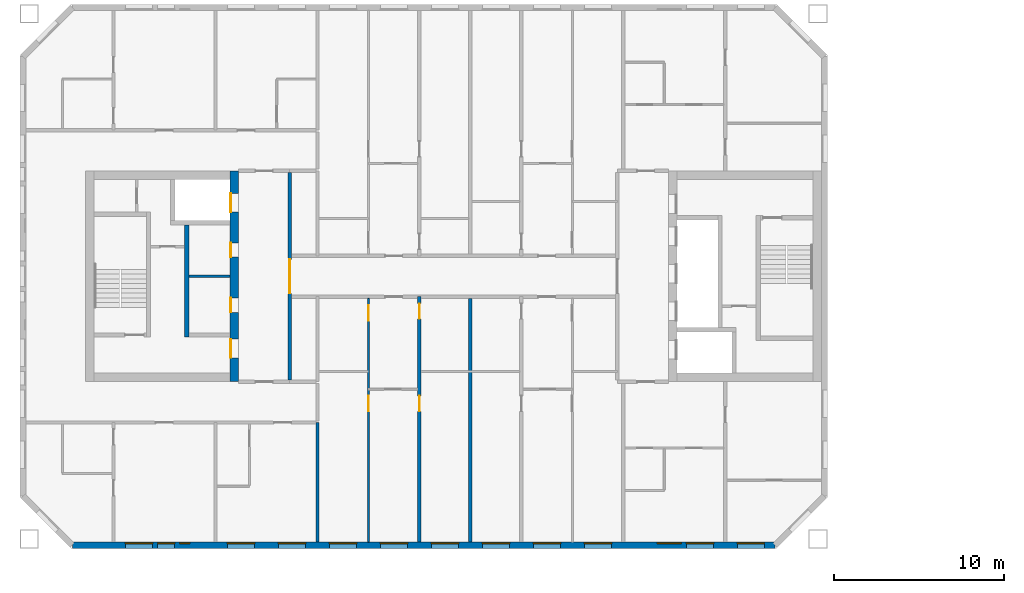
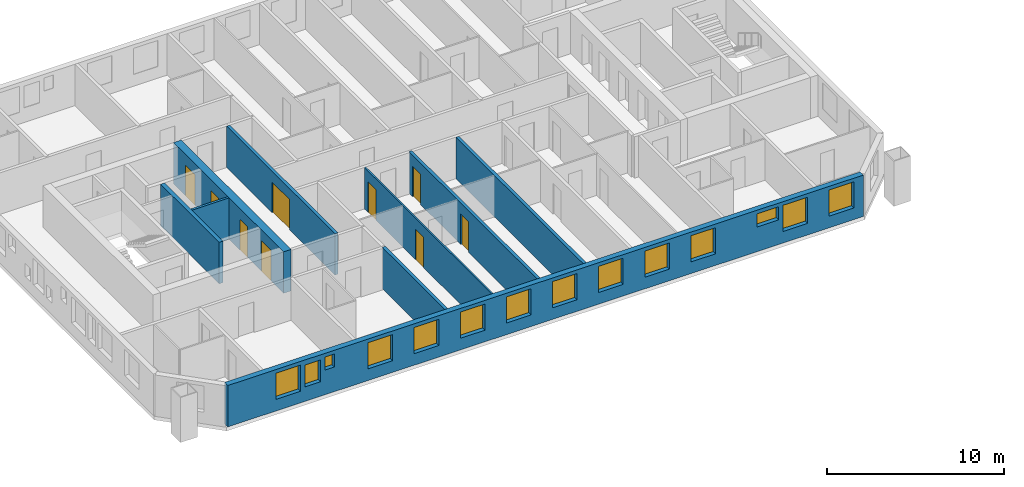
# One storey, part 3 of 15: 14 windows, 9 doors, 9 walls, 23 openings.
"""IFC4 building model written with IfcOpenShell, lengths in metres."""

import ifcopenshell
import ifcopenshell.guid

model = None  # the IFC model being written
_history = None  # IfcOwnerHistory: only IFC2X3 demands one
_inside = {}  # id of a spatial element -> (the spatial element, [elements in it])
_under = {}  # id of a project, library or spatial element -> (it, [spatial elements below it])
_declared = {}  # id of a project -> (the project, [libraries it declares])
_typed = {}  # id of a type object -> (the type object, [elements of that type])
_made_of = {}  # id of a material, layer set ... -> (it, [elements and type objects made of it])


def new_model(schema):
    """Start an empty IFC model of exactly this schema.

    Asked for "IFC4X3", IfcOpenShell would pick the latest addendum, in which some entities
    have other attributes; the version numbers below select the first issue.
    IFC2X3 requires an IfcOwnerHistory on every rooted entity: one is made here for all.
    """
    global model, _history
    if schema == "IFC4X3":
        model = ifcopenshell.file(schema_version=(4, 3, 0, 0))
    else:
        model = ifcopenshell.file(schema=schema)
    _inside.clear()
    _under.clear()
    _declared.clear()
    _typed.clear()
    _made_of.clear()
    _history = None
    if model.schema == "IFC2X3":
        org = make("IfcOrganization", Name="unknown")
        user = make(
            "IfcPersonAndOrganization",
            ThePerson=make("IfcPerson", FamilyName="unknown"),
            TheOrganization=org,
        )
        app = make(
            "IfcApplication",
            ApplicationDeveloper=org,
            Version="unknown",
            ApplicationFullName="unknown",
            ApplicationIdentifier="unknown",
        )
        _history = make(
            "IfcOwnerHistory",
            OwningUser=user,
            OwningApplication=app,
            ChangeAction="ADDED",
            CreationDate=0,
        )
    return model


def make(cls, **values):
    """One entity of the class cls with the attributes given. An attribute that is None is left unset."""
    return model.create_entity(
        cls, **{name: value for name, value in values.items() if value is not None}
    )


def rooted(cls, **values):
    """An entity with a GlobalId (a new one), such as an element, a storey or a relation."""
    return make(cls, GlobalId=ifcopenshell.guid.new(), OwnerHistory=_history, **values)


def si_unit(unit_type, name, prefix=None):
    """IfcSIUnit, for example si_unit("LENGTHUNIT", "METRE", prefix="MILLI")."""
    return make("IfcSIUnit", UnitType=unit_type, Prefix=prefix, Name=name)


def assignment(units):
    """IfcUnitAssignment: the units of a project."""
    return None if units is None else make("IfcUnitAssignment", Units=units)


def point(xyz):
    """IfcCartesianPoint."""
    return None if xyz is None else make("IfcCartesianPoint", Coordinates=xyz)


def direction(xyz):
    """IfcDirection."""
    return None if xyz is None else make("IfcDirection", DirectionRatios=xyz)


def frame(location, z_axis=None, x_axis=None):
    """IfcAxis2Placement3D, a coordinate frame: its origin and axes. An axis left out is left unset."""
    return make(
        "IfcAxis2Placement3D",
        Location=point(location),
        Axis=direction(z_axis),
        RefDirection=direction(x_axis),
    )


def frame_2d(location, x_axis=None):
    """IfcAxis2Placement2D, a coordinate frame in the plane: its origin and x axis."""
    return make(
        "IfcAxis2Placement2D", Location=point(location), RefDirection=direction(x_axis)
    )


def origin():
    """The frame at (0, 0, 0) with its axes left unset."""
    return frame((0.0, 0.0, 0.0))


def place(relative_to, where):
    """IfcLocalPlacement: puts the frame where relative to a parent placement (None: the world)."""
    return make(
        "IfcLocalPlacement", PlacementRelTo=relative_to, RelativePlacement=where
    )


def context(
    kind, dimensions, precision=None, world=None, true_north=None, identifier=None
):
    """IfcGeometricRepresentationContext, for example the 3D "Model" context."""
    return make(
        "IfcGeometricRepresentationContext",
        ContextIdentifier=identifier,
        ContextType=kind,
        CoordinateSpaceDimension=dimensions,
        Precision=precision,
        WorldCoordinateSystem=world,
        TrueNorth=true_north,
    )


def subcontext(parent, identifier, kind, view, scale=None):
    """IfcGeometricRepresentationSubContext, for example "Body" below "Model"."""
    return make(
        "IfcGeometricRepresentationSubContext",
        ContextIdentifier=identifier,
        ContextType=kind,
        ParentContext=parent,
        TargetScale=scale,
        TargetView=view,
    )


def project(units=None, contexts=None):
    """IfcProject with its units and contexts."""
    return rooted(
        "IfcProject",
        Name="project",
        RepresentationContexts=contexts,
        UnitsInContext=assignment(units),
    )


def spatial(cls, under=None, at=None, **own):
    """A site, building, storey or space (cls), placed at a placement, below another one or the project."""
    s = rooted(cls, ObjectPlacement=at, **own)
    if under is not None:
        _under.setdefault(under.id(), (under, []))[1].append(s)
    return s


def profile(cls, at=None, kind="AREA", **sizes):
    """A parametric profile (cls). Its sizes go by their IFC names, for example OverallWidth=200.0."""
    return make(cls, ProfileType=kind, Position=at, **sizes)


def rectangle(**sizes):
    """IfcRectangleProfileDef."""
    return profile("IfcRectangleProfileDef", **sizes)


def extrude(swept, where, along, depth):
    """IfcExtrudedAreaSolid: the profile swept, set in the frame where, extruded along a direction by depth."""
    return make(
        "IfcExtrudedAreaSolid",
        SweptArea=swept,
        Position=where,
        ExtrudedDirection=direction(along),
        Depth=depth,
    )


def shape(context_of_items, identifier, shape_type, items):
    """IfcShapeRepresentation: the items that make up one representation, for example the "Body"."""
    return make(
        "IfcShapeRepresentation",
        ContextOfItems=context_of_items,
        RepresentationIdentifier=identifier,
        RepresentationType=shape_type,
        Items=items,
    )


def material(Name=None, Category=None):
    """IfcMaterial."""
    return make("IfcMaterial", Name=Name, Category=Category)


def layer(
    of_material, thickness, ventilated=None, Name=None, Category=None, Priority=None
):
    """IfcMaterialLayer: one layer of a wall or slab, of a material (None: an air gap)."""
    return make(
        "IfcMaterialLayer",
        Material=of_material,
        LayerThickness=thickness,
        IsVentilated=ventilated,
        Name=Name,
        Category=Category,
        Priority=Priority,
    )


def layer_set(layers, Name=None):
    """IfcMaterialLayerSet."""
    return make("IfcMaterialLayerSet", MaterialLayers=layers, LayerSetName=Name)


def made_of(thing, what):
    """Note that an element or type object is made of a material, layer set ...; save() writes the relation."""
    if what is not None:
        _made_of.setdefault(what.id(), (what, []))[1].append(thing)
    return thing


def type_object(cls, material=None, **own):
    """A type object (cls), such as IfcWallType, which elements share."""
    return made_of(rooted(cls, **own), material)


def element(
    cls,
    number,
    at=None,
    inside=None,
    cuts=None,
    type_object=None,
    material=None,
    context=None,
    identifier="Body",
    shape_type=None,
    held_by="IfcProductDefinitionShape",
    body=None,
    shapes=None,
    **own,
):
    """One element of the class cls, such as IfcWall. Its Tag is "e" and its number.

    at: its placement. inside: the storey or other place that contains it. cuts: it is an
    opening in that element (IfcRelVoidsElement). A single representation is given by context,
    identifier, shape_type and body (its items); several are given by shapes. held_by: the class
    of the entity that holds the representations. save() writes the other relations.
    """
    e = rooted(cls, Tag="e%d" % number, ObjectPlacement=at, **own)
    if body is not None:
        shapes = [shape(context, identifier, shape_type, body)]
    if shapes is not None:
        e.Representation = make(held_by, Representations=shapes)
    if inside is not None:
        _inside.setdefault(inside.id(), (inside, []))[1].append(e)
    if cuts is not None:
        rooted(
            "IfcRelVoidsElement", RelatingBuildingElement=cuts, RelatedOpeningElement=e
        )
    if type_object is not None:
        _typed.setdefault(type_object.id(), (type_object, []))[1].append(e)
    return made_of(e, material)


def fill(opening, filler):
    """IfcRelFillsElement: the door or window that sits in an opening."""
    return rooted(
        "IfcRelFillsElement",
        RelatingOpeningElement=opening,
        RelatedBuildingElement=filler,
    )


def aggregate(whole, parts):
    """IfcRelAggregates: a whole, such as a stair, and the parts it consists of."""
    return rooted("IfcRelAggregates", RelatingObject=whole, RelatedObjects=parts)


def save(model, path):
    """Write the relations noted so far, then the file.

    IfcRelAggregates (storeys below a building ...), IfcRelContainedInSpatialStructure (elements
    in a storey), IfcRelDefinesByType, IfcRelAssociatesMaterial and IfcRelDeclares: one each for
    every whole, place, type object, material and project.
    """
    for whole, parts in _under.values():
        aggregate(whole, parts)
    for where, things in _inside.values():
        rooted(
            "IfcRelContainedInSpatialStructure",
            RelatedElements=things,
            RelatingStructure=where,
        )
    for kind, things in _typed.values():
        rooted("IfcRelDefinesByType", RelatedObjects=things, RelatingType=kind)
    for what, things in _made_of.values():
        rooted("IfcRelAssociatesMaterial", RelatedObjects=things, RelatingMaterial=what)
    for by, libraries in _declared.values():
        rooted("IfcRelDeclares", RelatingContext=by, RelatedDefinitions=libraries)
    model.write(path)


model = new_model("IFC4")

# Units and contexts
model_context = context("Model", 3, precision=1e-05, world=origin(), true_north=direction((0.0, 1.0)))
body_context = subcontext(model_context, "Body", "Model", "MODEL_VIEW")
ifc_project = project(units=[si_unit("LENGTHUNIT", "METRE"), si_unit("AREAUNIT", "SQUARE_METRE"), si_unit("VOLUMEUNIT", "CUBIC_METRE"), si_unit("PLANEANGLEUNIT", "RADIAN"), si_unit("MASSUNIT", "GRAM", prefix="KILO")], contexts=[model_context])

# Site, building, storey
site_placement = place(None, origin())
site = spatial("IfcSite", under=ifc_project, at=site_placement, CompositionType="ELEMENT")
building_placement = place(site_placement, origin())
building = spatial("IfcBuilding", under=site, at=building_placement, Name="Tuart Gate Housing", CompositionType="ELEMENT")
storey_placement = place(building_placement, frame((0.0, 0.0, 154.699951171875)))
storey = spatial("IfcBuildingStorey", under=building, at=storey_placement, Name="L43", CompositionType="ELEMENT", Elevation=154.699951171875)

# Wall, openings, windows
ifc_material_1 = material(Name="Brick", Category="masonry")
ifc_layer_1 = layer(ifc_material_1, 0.360107421875)
ifc_layer_set_1 = layer_set([ifc_layer_1], Name="Brick pier and spandrel wall 360")
wall_type_1 = type_object("IfcWallType", Name="Brick pier and spandrel wall 360", PredefinedType="STANDARD", material=ifc_layer_set_1)
wall_1_placement = place(storey_placement, frame((31.57470703125, 54.179931640625, 0.0), z_axis=(0.0, 0.0, 1.0), x_axis=(1.0, 0.0, 0.0)))
wall_1 = element("IfcWall", 1, at=wall_1_placement, inside=storey, type_object=wall_type_1, Name="External wall A-S L43", PredefinedType="STANDARD", context=body_context, shape_type="SweptSolid", body=[
    extrude(rectangle(XDim=41.350830078125, YDim=0.360107421875, at=frame_2d((20.67529296875, 0.0))), origin(), (0.0, 0.0, 1.0), 2.85009765625),
])
opening_1_placement = place(wall_1_placement, frame((3.12548828125, 0.0, 0.800048828125)))
opening_1 = element("IfcOpeningElement", 2, at=opening_1_placement, cuts=wall_1, Name="Opening W1", PredefinedType="OPENING", context=body_context, shape_type="SweptSolid", body=[
    extrude(rectangle(XDim=1.60009765625, YDim=1.800048828125, at=frame_2d((0.800048828125, 0.89990234375))), frame((0.0, 0.18994140625, 0.0), z_axis=(0.0, -1.0, 0.0), x_axis=(1.0, 0.0, 0.0)), (0.0, 0.0, 1.0), 0.380126953125),
])
opening_2_placement = place(wall_1_placement, frame((5.025390625, 0.0, 1.0)))
opening_2 = element("IfcOpeningElement", 3, at=opening_2_placement, cuts=wall_1, Name="Opening W1I", PredefinedType="OPENING", context=body_context, shape_type="SweptSolid", body=[
    extrude(rectangle(XDim=1.0, YDim=1.5, at=frame_2d((0.5, 0.75))), frame((0.0, 0.18994140625, 0.0), z_axis=(0.0, -1.0, 0.0), x_axis=(1.0, 0.0, 0.0)), (0.0, 0.0, 1.0), 0.380126953125),
])
opening_3_placement = place(wall_1_placement, frame((9.12548828125, 0.0, 0.800048828125)))
opening_3 = element("IfcOpeningElement", 4, at=opening_3_placement, cuts=wall_1, Name="Opening W1", PredefinedType="OPENING", context=body_context, shape_type="SweptSolid", body=[
    extrude(rectangle(XDim=1.60009765625, YDim=1.800048828125, at=frame_2d((0.800048828125, 0.89990234375))), frame((0.0, 0.18994140625, 0.0), z_axis=(0.0, -1.0, 0.0), x_axis=(1.0, 0.0, 0.0)), (0.0, 0.0, 1.0), 0.380126953125),
])
opening_4_placement = place(wall_1_placement, frame((12.12548828125, 0.0, 0.800048828125)))
opening_4 = element("IfcOpeningElement", 5, at=opening_4_placement, cuts=wall_1, Name="Opening W1", PredefinedType="OPENING", context=body_context, shape_type="SweptSolid", body=[
    extrude(rectangle(XDim=1.60009765625, YDim=1.800048828125, at=frame_2d((0.800048828125, 0.89990234375))), frame((0.0, 0.18994140625, 0.0), z_axis=(0.0, -1.0, 0.0), x_axis=(1.0, 0.0, 0.0)), (0.0, 0.0, 1.0), 0.380126953125),
])
opening_5_placement = place(wall_1_placement, frame((15.12548828125, 0.0, 0.800048828125)))
opening_5 = element("IfcOpeningElement", 6, at=opening_5_placement, cuts=wall_1, Name="Opening W1", PredefinedType="OPENING", context=body_context, shape_type="SweptSolid", body=[
    extrude(rectangle(XDim=1.60009765625, YDim=1.800048828125, at=frame_2d((0.800048828125, 0.89990234375))), frame((0.0, 0.18994140625, 0.0), z_axis=(0.0, -1.0, 0.0), x_axis=(1.0, 0.0, 0.0)), (0.0, 0.0, 1.0), 0.380126953125),
])
opening_6_placement = place(wall_1_placement, frame((18.12548828125, 0.0, 0.800048828125)))
opening_6 = element("IfcOpeningElement", 7, at=opening_6_placement, cuts=wall_1, Name="Opening W1", PredefinedType="OPENING", context=body_context, shape_type="SweptSolid", body=[
    extrude(rectangle(XDim=1.60009765625, YDim=1.800048828125, at=frame_2d((0.800048828125, 0.89990234375))), frame((0.0, 0.18994140625, 0.0), z_axis=(0.0, -1.0, 0.0), x_axis=(1.0, 0.0, 0.0)), (0.0, 0.0, 1.0), 0.380126953125),
])
opening_7_placement = place(wall_1_placement, frame((21.12548828125, 0.0, 0.800048828125)))
opening_7 = element("IfcOpeningElement", 8, at=opening_7_placement, cuts=wall_1, Name="Opening W1", PredefinedType="OPENING", context=body_context, shape_type="SweptSolid", body=[
    extrude(rectangle(XDim=1.60009765625, YDim=1.800048828125, at=frame_2d((0.800048828125, 0.89990234375))), frame((0.0, 0.18994140625, 0.0), z_axis=(0.0, -1.0, 0.0), x_axis=(1.0, 0.0, 0.0)), (0.0, 0.0, 1.0), 0.380126953125),
])
opening_8_placement = place(wall_1_placement, frame((24.12548828125, 0.0, 0.800048828125)))
opening_8 = element("IfcOpeningElement", 9, at=opening_8_placement, cuts=wall_1, Name="Opening W1", PredefinedType="OPENING", context=body_context, shape_type="SweptSolid", body=[
    extrude(rectangle(XDim=1.60009765625, YDim=1.800048828125, at=frame_2d((0.800048828125, 0.89990234375))), frame((0.0, 0.18994140625, 0.0), z_axis=(0.0, -1.0, 0.0), x_axis=(1.0, 0.0, 0.0)), (0.0, 0.0, 1.0), 0.380126953125),
])
opening_9_placement = place(wall_1_placement, frame((27.12548828125, 0.0, 0.800048828125)))
opening_9 = element("IfcOpeningElement", 10, at=opening_9_placement, cuts=wall_1, Name="Opening W1", PredefinedType="OPENING", context=body_context, shape_type="SweptSolid", body=[
    extrude(rectangle(XDim=1.60009765625, YDim=1.800048828125, at=frame_2d((0.800048828125, 0.89990234375))), frame((0.0, 0.18994140625, 0.0), z_axis=(0.0, -1.0, 0.0), x_axis=(1.0, 0.0, 0.0)), (0.0, 0.0, 1.0), 0.380126953125),
])
opening_10_placement = place(wall_1_placement, frame((30.12548828125, 0.0, 0.800048828125)))
opening_10 = element("IfcOpeningElement", 11, at=opening_10_placement, cuts=wall_1, Name="Opening W1", PredefinedType="OPENING", context=body_context, shape_type="SweptSolid", body=[
    extrude(rectangle(XDim=1.60009765625, YDim=1.800048828125, at=frame_2d((0.800048828125, 0.89990234375))), frame((0.0, 0.18994140625, 0.0), z_axis=(0.0, -1.0, 0.0), x_axis=(1.0, 0.0, 0.0)), (0.0, 0.0, 1.0), 0.380126953125),
])
opening_11_placement = place(wall_1_placement, frame((34.42529296875, 0.0, 1.699951171875)))
opening_11 = element("IfcOpeningElement", 12, at=opening_11_placement, cuts=wall_1, Name="Opening W1S", PredefinedType="OPENING", context=body_context, shape_type="SweptSolid", body=[
    extrude(rectangle(XDim=1.39990234375, YDim=0.89990234375, at=frame_2d((0.699951171875, 0.449951171875))), frame((0.0, 0.18994140625, 0.0), z_axis=(0.0, -1.0, 0.0), x_axis=(1.0, 0.0, 0.0)), (0.0, 0.0, 1.0), 0.380126953125),
])
opening_12_placement = place(wall_1_placement, frame((36.12548828125, 0.0, 0.800048828125)))
opening_12 = element("IfcOpeningElement", 13, at=opening_12_placement, cuts=wall_1, Name="Opening W1", PredefinedType="OPENING", context=body_context, shape_type="SweptSolid", body=[
    extrude(rectangle(XDim=1.60009765625, YDim=1.800048828125, at=frame_2d((0.800048828125, 0.89990234375))), frame((0.0, 0.18994140625, 0.0), z_axis=(0.0, -1.0, 0.0), x_axis=(1.0, 0.0, 0.0)), (0.0, 0.0, 1.0), 0.380126953125),
])
opening_13_placement = place(wall_1_placement, frame((39.12548828125, 0.0, 0.800048828125)))
opening_13 = element("IfcOpeningElement", 14, at=opening_13_placement, cuts=wall_1, Name="Opening W1", PredefinedType="OPENING", context=body_context, shape_type="SweptSolid", body=[
    extrude(rectangle(XDim=1.60009765625, YDim=1.800048828125, at=frame_2d((0.800048828125, 0.89990234375))), frame((0.0, 0.18994140625, 0.0), z_axis=(0.0, -1.0, 0.0), x_axis=(1.0, 0.0, 0.0)), (0.0, 0.0, 1.0), 0.380126953125),
])
opening_14_placement = place(wall_1_placement, frame((6.325439453125, 0.0, 1.699951171875)))
opening_14 = element("IfcOpeningElement", 15, at=opening_14_placement, cuts=wall_1, Name="Opening W1W", PredefinedType="OPENING", context=body_context, shape_type="SweptSolid", body=[
    extrude(rectangle(XDim=0.60009765625, YDim=0.89990234375, at=frame_2d((0.300048828125, 0.449951171875))), frame((0.0, 0.18994140625, 0.0), z_axis=(0.0, -1.0, 0.0), x_axis=(1.0, 0.0, 0.0)), (0.0, 0.0, 1.0), 0.380126953125),
])
ifc_material_2 = material(Name="Aluminium frame with clear glass", Category="aluminium")
window_type_1 = type_object("IfcWindowType", Name="Punched window 1000 x 1500", PartitioningType="SINGLE_PANEL", PredefinedType="WINDOW", material=ifc_material_2)
window_1_placement = place(opening_2_placement, origin())
window_1 = element("IfcWindow", 16, at=window_1_placement, inside=storey, type_object=window_type_1, Name="Window W1I", OverallHeight=1.5, OverallWidth=1.0, PartitioningType="SINGLE_PANEL", PredefinedType="WINDOW", context=body_context, shape_type="SweptSolid", body=[
    extrude(rectangle(XDim=1.0, YDim=1.5, at=frame_2d((0.5, 0.75))), frame((0.0, 0.150146484375, 0.0), z_axis=(0.0, -1.0, 0.0), x_axis=(1.0, 0.0, 0.0)), (0.0, 0.0, 1.0), 0.06005859375),
])
fill(opening_2, window_1)
ifc_material_3 = material(Name="Aluminium frame with clear glass", Category="aluminium")
window_type_2 = type_object("IfcWindowType", Name="Punched window 1400 x 900", PartitioningType="SINGLE_PANEL", PredefinedType="WINDOW", material=ifc_material_3)
window_2_placement = place(opening_11_placement, origin())
window_2 = element("IfcWindow", 17, at=window_2_placement, inside=storey, type_object=window_type_2, Name="Window W1S", OverallHeight=0.89990234375, OverallWidth=1.39990234375, PartitioningType="SINGLE_PANEL", PredefinedType="WINDOW", context=body_context, shape_type="SweptSolid", body=[
    extrude(rectangle(XDim=1.39990234375, YDim=0.89990234375, at=frame_2d((0.699951171875, 0.449951171875))), frame((0.0, 0.150146484375, 0.0), z_axis=(0.0, -1.0, 0.0), x_axis=(1.0, 0.0, 0.0)), (0.0, 0.0, 1.0), 0.06005859375),
])
fill(opening_11, window_2)
ifc_material_4 = material(Name="Aluminium frame with clear glass", Category="aluminium")
window_type_3 = type_object("IfcWindowType", Name="Punched window 1600 x 1800", PartitioningType="SINGLE_PANEL", PredefinedType="WINDOW", material=ifc_material_4)
window_3_placement = place(opening_1_placement, origin())
window_3 = element("IfcWindow", 18, at=window_3_placement, inside=storey, type_object=window_type_3, Name="Window W1", OverallHeight=1.800048828125, OverallWidth=1.60009765625, PartitioningType="SINGLE_PANEL", PredefinedType="WINDOW", context=body_context, shape_type="SweptSolid", body=[
    extrude(rectangle(XDim=1.60009765625, YDim=1.800048828125, at=frame_2d((0.800048828125, 0.89990234375))), frame((0.0, 0.150146484375, 0.0), z_axis=(0.0, -1.0, 0.0), x_axis=(1.0, 0.0, 0.0)), (0.0, 0.0, 1.0), 0.06005859375),
])
fill(opening_1, window_3)
window_4_placement = place(opening_3_placement, origin())
window_4 = element("IfcWindow", 19, at=window_4_placement, inside=storey, type_object=window_type_3, Name="Window W1", OverallHeight=1.800048828125, OverallWidth=1.60009765625, PartitioningType="SINGLE_PANEL", PredefinedType="WINDOW", context=body_context, shape_type="SweptSolid", body=[
    extrude(rectangle(XDim=1.60009765625, YDim=1.800048828125, at=frame_2d((0.800048828125, 0.89990234375))), frame((0.0, 0.150146484375, 0.0), z_axis=(0.0, -1.0, 0.0), x_axis=(1.0, 0.0, 0.0)), (0.0, 0.0, 1.0), 0.06005859375),
])
fill(opening_3, window_4)
window_5_placement = place(opening_4_placement, origin())
window_5 = element("IfcWindow", 20, at=window_5_placement, inside=storey, type_object=window_type_3, Name="Window W1", OverallHeight=1.800048828125, OverallWidth=1.60009765625, PartitioningType="SINGLE_PANEL", PredefinedType="WINDOW", context=body_context, shape_type="SweptSolid", body=[
    extrude(rectangle(XDim=1.60009765625, YDim=1.800048828125, at=frame_2d((0.800048828125, 0.89990234375))), frame((0.0, 0.150146484375, 0.0), z_axis=(0.0, -1.0, 0.0), x_axis=(1.0, 0.0, 0.0)), (0.0, 0.0, 1.0), 0.06005859375),
])
fill(opening_4, window_5)
window_6_placement = place(opening_5_placement, origin())
window_6 = element("IfcWindow", 21, at=window_6_placement, inside=storey, type_object=window_type_3, Name="Window W1", OverallHeight=1.800048828125, OverallWidth=1.60009765625, PartitioningType="SINGLE_PANEL", PredefinedType="WINDOW", context=body_context, shape_type="SweptSolid", body=[
    extrude(rectangle(XDim=1.60009765625, YDim=1.800048828125, at=frame_2d((0.800048828125, 0.89990234375))), frame((0.0, 0.150146484375, 0.0), z_axis=(0.0, -1.0, 0.0), x_axis=(1.0, 0.0, 0.0)), (0.0, 0.0, 1.0), 0.06005859375),
])
fill(opening_5, window_6)
window_7_placement = place(opening_6_placement, origin())
window_7 = element("IfcWindow", 22, at=window_7_placement, inside=storey, type_object=window_type_3, Name="Window W1", OverallHeight=1.800048828125, OverallWidth=1.60009765625, PartitioningType="SINGLE_PANEL", PredefinedType="WINDOW", context=body_context, shape_type="SweptSolid", body=[
    extrude(rectangle(XDim=1.60009765625, YDim=1.800048828125, at=frame_2d((0.800048828125, 0.89990234375))), frame((0.0, 0.150146484375, 0.0), z_axis=(0.0, -1.0, 0.0), x_axis=(1.0, 0.0, 0.0)), (0.0, 0.0, 1.0), 0.06005859375),
])
fill(opening_6, window_7)
window_8_placement = place(opening_7_placement, origin())
window_8 = element("IfcWindow", 23, at=window_8_placement, inside=storey, type_object=window_type_3, Name="Window W1", OverallHeight=1.800048828125, OverallWidth=1.60009765625, PartitioningType="SINGLE_PANEL", PredefinedType="WINDOW", context=body_context, shape_type="SweptSolid", body=[
    extrude(rectangle(XDim=1.60009765625, YDim=1.800048828125, at=frame_2d((0.800048828125, 0.89990234375))), frame((0.0, 0.150146484375, 0.0), z_axis=(0.0, -1.0, 0.0), x_axis=(1.0, 0.0, 0.0)), (0.0, 0.0, 1.0), 0.06005859375),
])
fill(opening_7, window_8)
window_9_placement = place(opening_8_placement, origin())
window_9 = element("IfcWindow", 24, at=window_9_placement, inside=storey, type_object=window_type_3, Name="Window W1", OverallHeight=1.800048828125, OverallWidth=1.60009765625, PartitioningType="SINGLE_PANEL", PredefinedType="WINDOW", context=body_context, shape_type="SweptSolid", body=[
    extrude(rectangle(XDim=1.60009765625, YDim=1.800048828125, at=frame_2d((0.800048828125, 0.89990234375))), frame((0.0, 0.150146484375, 0.0), z_axis=(0.0, -1.0, 0.0), x_axis=(1.0, 0.0, 0.0)), (0.0, 0.0, 1.0), 0.06005859375),
])
fill(opening_8, window_9)
window_10_placement = place(opening_9_placement, origin())
window_10 = element("IfcWindow", 25, at=window_10_placement, inside=storey, type_object=window_type_3, Name="Window W1", OverallHeight=1.800048828125, OverallWidth=1.60009765625, PartitioningType="SINGLE_PANEL", PredefinedType="WINDOW", context=body_context, shape_type="SweptSolid", body=[
    extrude(rectangle(XDim=1.60009765625, YDim=1.800048828125, at=frame_2d((0.800048828125, 0.89990234375))), frame((0.0, 0.150146484375, 0.0), z_axis=(0.0, -1.0, 0.0), x_axis=(1.0, 0.0, 0.0)), (0.0, 0.0, 1.0), 0.06005859375),
])
fill(opening_9, window_10)
window_11_placement = place(opening_10_placement, origin())
window_11 = element("IfcWindow", 26, at=window_11_placement, inside=storey, type_object=window_type_3, Name="Window W1", OverallHeight=1.800048828125, OverallWidth=1.60009765625, PartitioningType="SINGLE_PANEL", PredefinedType="WINDOW", context=body_context, shape_type="SweptSolid", body=[
    extrude(rectangle(XDim=1.60009765625, YDim=1.800048828125, at=frame_2d((0.800048828125, 0.89990234375))), frame((0.0, 0.150146484375, 0.0), z_axis=(0.0, -1.0, 0.0), x_axis=(1.0, 0.0, 0.0)), (0.0, 0.0, 1.0), 0.06005859375),
])
fill(opening_10, window_11)
window_12_placement = place(opening_12_placement, origin())
window_12 = element("IfcWindow", 27, at=window_12_placement, inside=storey, type_object=window_type_3, Name="Window W1", OverallHeight=1.800048828125, OverallWidth=1.60009765625, PartitioningType="SINGLE_PANEL", PredefinedType="WINDOW", context=body_context, shape_type="SweptSolid", body=[
    extrude(rectangle(XDim=1.60009765625, YDim=1.800048828125, at=frame_2d((0.800048828125, 0.89990234375))), frame((0.0, 0.150146484375, 0.0), z_axis=(0.0, -1.0, 0.0), x_axis=(1.0, 0.0, 0.0)), (0.0, 0.0, 1.0), 0.06005859375),
])
fill(opening_12, window_12)
window_13_placement = place(opening_13_placement, origin())
window_13 = element("IfcWindow", 28, at=window_13_placement, inside=storey, type_object=window_type_3, Name="Window W1", OverallHeight=1.800048828125, OverallWidth=1.60009765625, PartitioningType="SINGLE_PANEL", PredefinedType="WINDOW", context=body_context, shape_type="SweptSolid", body=[
    extrude(rectangle(XDim=1.60009765625, YDim=1.800048828125, at=frame_2d((0.800048828125, 0.89990234375))), frame((0.0, 0.150146484375, 0.0), z_axis=(0.0, -1.0, 0.0), x_axis=(1.0, 0.0, 0.0)), (0.0, 0.0, 1.0), 0.06005859375),
])
fill(opening_13, window_13)
ifc_material_5 = material(Name="Aluminium frame with clear glass", Category="aluminium")
window_type_4 = type_object("IfcWindowType", Name="Punched window 600 x 900", PartitioningType="SINGLE_PANEL", PredefinedType="WINDOW", material=ifc_material_5)
window_14_placement = place(opening_14_placement, origin())
window_14 = element("IfcWindow", 29, at=window_14_placement, inside=storey, type_object=window_type_4, Name="Window W1W", OverallHeight=0.89990234375, OverallWidth=0.60009765625, PartitioningType="SINGLE_PANEL", PredefinedType="WINDOW", context=body_context, shape_type="SweptSolid", body=[
    extrude(rectangle(XDim=0.60009765625, YDim=0.89990234375, at=frame_2d((0.300048828125, 0.449951171875))), frame((0.0, 0.150146484375, 0.0), z_axis=(0.0, -1.0, 0.0), x_axis=(1.0, 0.0, 0.0)), (0.0, 0.0, 1.0), 0.06005859375),
])
fill(opening_14, window_14)

# Walls
ifc_material_6 = material(Name="Plasterboard partition")
ifc_layer_2 = layer(ifc_material_6, 0.14990234375)
ifc_layer_set_2 = layer_set([ifc_layer_2], Name="Core partition 150")
wall_type_2 = type_object("IfcWallType", Name="Core partition 150", PredefinedType="PARTITIONING", material=ifc_layer_set_2)
wall_2_placement = place(storey_placement, frame((40.860107421875, 70.0, 0.0), z_axis=(0.0, 0.0, 1.0), x_axis=(-1.0, 0.0, 0.0)))
element("IfcWall", 30, at=wall_2_placement, inside=storey, type_object=wall_type_2, Name="Core partition AK.4", PredefinedType="PARTITIONING", context=body_context, shape_type="SweptSolid", body=[
    extrude(rectangle(XDim=2.425048828125, YDim=0.14990234375, at=frame_2d((1.21240234375, 0.0))), origin(), (0.0, 0.0, 1.0), 2.85009765625),
])
ifc_material_7 = material(Name="Concrete C40", Category="concrete")
ifc_layer_3 = layer(ifc_material_7, 0.25)
ifc_layer_set_3 = layer_set([ifc_layer_3], Name="Core wall 250 C40")
wall_type_3 = type_object("IfcWallType", Name="Core wall 250 C40", PredefinedType="SHEAR", material=ifc_layer_set_3)
wall_3_placement = place(storey_placement, frame((38.31005859375, 73.02490234375, 0.0), z_axis=(0.0, 0.0, 1.0), x_axis=(0.0, -1.0, 0.0)))
element("IfcWall", 31, at=wall_3_placement, inside=storey, type_object=wall_type_3, Name="Core wall AK.7", PredefinedType="SHEAR", context=body_context, shape_type="SweptSolid", body=[
    extrude(rectangle(XDim=6.599853515625, YDim=0.25, at=frame_2d((3.2998046875, 0.0))), origin(), (0.0, 0.0, 1.0), 2.85009765625),
])

# Wall, openings, doors
ifc_material_8 = material(Name="Concrete C40", Category="concrete")
ifc_layer_4 = layer(ifc_material_8, 0.5)
ifc_layer_set_4 = layer_set([ifc_layer_4], Name="Core wall 500 C40")
wall_type_4 = type_object("IfcWallType", Name="Core wall 500 C40", PredefinedType="SHEAR", material=ifc_layer_set_4)
wall_4_placement = place(storey_placement, frame((41.110107421875, 76.199951171875, 0.0), z_axis=(0.0, 0.0, 1.0), x_axis=(0.0, -1.0, 0.0)))
wall_4 = element("IfcWall", 32, at=wall_4_placement, inside=storey, type_object=wall_type_4, Name="Core wall AK front", PredefinedType="SHEAR", context=body_context, shape_type="SweptSolid", body=[
    extrude(rectangle(XDim=12.39990234375, YDim=0.5, at=frame_2d((6.199951171875, 0.0))), origin(), (0.0, 0.0, 1.0), 2.85009765625),
])
opening_15_placement = place(wall_4_placement, frame((1.324951171875, 0.0, 0.0)))
opening_15 = element("IfcOpeningElement", 33, at=opening_15_placement, cuts=wall_4, Name="Opening LD-FA2", PredefinedType="OPENING", context=body_context, shape_type="SweptSolid", body=[
    extrude(rectangle(XDim=1.10009765625, YDim=2.10009765625, at=frame_2d((0.550048828125, 1.050048828125))), frame((0.0, 0.260009765625, 0.0), z_axis=(0.0, -1.0, 0.0), x_axis=(1.0, 0.0, 0.0)), (0.0, 0.0, 1.0), 0.52001953125),
])
opening_16_placement = place(wall_4_placement, frame((4.22509765625, 0.0, 0.0)))
opening_16 = element("IfcOpeningElement", 34, at=opening_16_placement, cuts=wall_4, Name="Opening D1543", PredefinedType="OPENING", context=body_context, shape_type="SweptSolid", body=[
    extrude(rectangle(XDim=0.85009765625, YDim=2.10009765625, at=frame_2d((0.425048828125, 1.050048828125))), frame((0.0, 0.260009765625, 0.0), z_axis=(0.0, -1.0, 0.0), x_axis=(1.0, 0.0, 0.0)), (0.0, 0.0, 1.0), 0.52001953125),
])
opening_17_placement = place(wall_4_placement, frame((7.47509765625, 0.0, 0.0)))
opening_17 = element("IfcOpeningElement", 35, at=opening_17_placement, cuts=wall_4, Name="Opening D1544", PredefinedType="OPENING", context=body_context, shape_type="SweptSolid", body=[
    extrude(rectangle(XDim=0.85009765625, YDim=2.10009765625, at=frame_2d((0.425048828125, 1.050048828125))), frame((0.0, 0.260009765625, 0.0), z_axis=(0.0, -1.0, 0.0), x_axis=(1.0, 0.0, 0.0)), (0.0, 0.0, 1.0), 0.52001953125),
])
opening_18_placement = place(wall_4_placement, frame((9.89990234375, 0.0, 0.0)))
opening_18 = element("IfcOpeningElement", 36, at=opening_18_placement, cuts=wall_4, Name="Opening D1542", PredefinedType="OPENING", context=body_context, shape_type="SweptSolid", body=[
    extrude(rectangle(XDim=1.10009765625, YDim=2.10009765625, at=frame_2d((0.550048828125, 1.050048828125))), frame((0.0, 0.260009765625, 0.0), z_axis=(0.0, -1.0, 0.0), x_axis=(1.0, 0.0, 0.0)), (0.0, 0.0, 1.0), 0.52001953125),
])
ifc_material_9 = material(Name="Stainless steel", Category="steel")
door_type_1 = type_object("IfcDoorType", Name="Landing door 1100 x 2100", OperationType="DOUBLE_DOOR_SLIDING", PredefinedType="DOOR", material=ifc_material_9)
door_1_placement = place(opening_15_placement, origin())
door_1 = element("IfcDoor", 37, at=door_1_placement, inside=storey, type_object=door_type_1, Name="Lift landing door FA2", OperationType="DOUBLE_DOOR_SLIDING", OverallHeight=2.10009765625, OverallWidth=1.10009765625, PredefinedType="DOOR", context=body_context, shape_type="SweptSolid", body=[
    extrude(rectangle(XDim=1.10009765625, YDim=2.10009765625, at=frame_2d((0.550048828125, 1.050048828125))), frame((0.0, -0.18505859375, 0.0), z_axis=(0.0, -1.0, 0.0), x_axis=(1.0, 0.0, 0.0)), (0.0, 0.0, 1.0), 0.050048828125),
])
fill(opening_15, door_1)
ifc_material_10 = material(Name="Steel fire door", Category="steel")
door_type_2 = type_object("IfcDoorType", Name="Lobby door 1100 x 2100 RH", OperationType="SINGLE_SWING_RIGHT", PredefinedType="DOOR", material=ifc_material_10)
door_2_placement = place(opening_18_placement, frame((1.10009765625, 0.0, 0.0), z_axis=(0.0, 0.0, 1.0), x_axis=(-1.0, 0.0, 0.0)))
door_2 = element("IfcDoor", 38, at=door_2_placement, inside=storey, type_object=door_type_2, Name="Lobby entry door AK.EN", OperationType="SINGLE_SWING_RIGHT", OverallHeight=2.10009765625, OverallWidth=1.10009765625, PredefinedType="DOOR", context=body_context, shape_type="SweptSolid", body=[
    extrude(rectangle(XDim=1.10009765625, YDim=2.10009765625, at=frame_2d((0.550048828125, 1.050048828125))), frame((0.0, 0.235107421875, 0.0), z_axis=(0.0, -1.0, 0.0), x_axis=(1.0, 0.0, 0.0)), (0.0, 0.0, 1.0), 0.050048828125),
])
fill(opening_18, door_2)
ifc_material_11 = material(Name="Steel fire door", Category="steel")
door_type_3 = type_object("IfcDoorType", Name="Service door 850 x 2100 RH", OperationType="SINGLE_SWING_RIGHT", PredefinedType="DOOR", material=ifc_material_11)
door_3_placement = place(opening_16_placement, frame((0.85009765625, 0.0, 0.0), z_axis=(0.0, 0.0, 1.0), x_axis=(-1.0, 0.0, 0.0)))
door_3 = element("IfcDoor", 39, at=door_3_placement, inside=storey, type_object=door_type_3, Name="Service room door AK.FR1", OperationType="SINGLE_SWING_RIGHT", OverallHeight=2.10009765625, OverallWidth=0.85009765625, PredefinedType="DOOR", context=body_context, shape_type="SweptSolid", body=[
    extrude(rectangle(XDim=0.85009765625, YDim=2.10009765625, at=frame_2d((0.425048828125, 1.050048828125))), frame((0.0, 0.235107421875, 0.0), z_axis=(0.0, -1.0, 0.0), x_axis=(1.0, 0.0, 0.0)), (0.0, 0.0, 1.0), 0.050048828125),
])
fill(opening_16, door_3)
door_4_placement = place(opening_17_placement, frame((0.85009765625, 0.0, 0.0), z_axis=(0.0, 0.0, 1.0), x_axis=(-1.0, 0.0, 0.0)))
door_4 = element("IfcDoor", 40, at=door_4_placement, inside=storey, type_object=door_type_3, Name="Service room door AK.FR2", OperationType="SINGLE_SWING_RIGHT", OverallHeight=2.10009765625, OverallWidth=0.85009765625, PredefinedType="DOOR", context=body_context, shape_type="SweptSolid", body=[
    extrude(rectangle(XDim=0.85009765625, YDim=2.10009765625, at=frame_2d((0.425048828125, 1.050048828125))), frame((0.0, 0.235107421875, 0.0), z_axis=(0.0, -1.0, 0.0), x_axis=(1.0, 0.0, 0.0)), (0.0, 0.0, 1.0), 0.050048828125),
])
fill(opening_17, door_4)

# Wall, opening, door
ifc_material_12 = material(Name="Plasterboard partition")
ifc_layer_5 = layer(ifc_material_12, 0.199951171875)
ifc_layer_set_5 = layer_set([ifc_layer_5], Name="Lobby wall 200")
wall_type_5 = type_object("IfcWallType", Name="Lobby wall 200", PredefinedType="PARTITIONING", material=ifc_layer_set_5)
wall_5_placement = place(storey_placement, frame((44.360107421875, 63.89990234375, 0.0), z_axis=(0.0, 0.0, 1.0), x_axis=(0.0, 1.0, 0.0)))
wall_5 = element("IfcWall", 41, at=wall_5_placement, inside=storey, type_object=wall_type_5, Name="Lift lobby wall AK", PredefinedType="PARTITIONING", context=body_context, shape_type="SweptSolid", body=[
    extrude(rectangle(XDim=12.2001953125, YDim=0.199951171875, at=frame_2d((6.10009765625, 0.0))), origin(), (0.0, 0.0, 1.0), 2.85009765625),
])
opening_19_placement = place(wall_5_placement, frame((5.10009765625, 0.0, 0.0)))
opening_19 = element("IfcOpeningElement", 42, at=opening_19_placement, cuts=wall_5, Name="Opening D1545", PredefinedType="OPENING", context=body_context, shape_type="SweptSolid", body=[
    extrude(rectangle(XDim=2.0, YDim=2.10009765625, at=frame_2d((1.0, 1.050048828125))), frame((0.0, 0.10986328125, 0.0), z_axis=(0.0, -1.0, 0.0), x_axis=(1.0, 0.0, 0.0)), (0.0, 0.0, 1.0), 0.219970703125),
])
ifc_material_13 = material(Name="Steel fire door", Category="steel")
door_type_4 = type_object("IfcDoorType", Name="Smoke door 2000 x 2100", OperationType="DOUBLE_DOOR_SINGLE_SWING", PredefinedType="DOOR", material=ifc_material_13)
door_5_placement = place(opening_19_placement, origin())
door_5 = element("IfcDoor", 43, at=door_5_placement, inside=storey, type_object=door_type_4, Name="Lift lobby smoke door AK", OperationType="DOUBLE_DOOR_SINGLE_SWING", OverallHeight=2.10009765625, OverallWidth=2.0, PredefinedType="DOOR", context=body_context, shape_type="SweptSolid", body=[
    extrude(rectangle(XDim=2.0, YDim=2.10009765625, at=frame_2d((1.0, 1.050048828125))), frame((0.0, 0.02490234375, 0.0), z_axis=(0.0, -1.0, 0.0), x_axis=(1.0, 0.0, 0.0)), (0.0, 0.0, 1.0), 0.050048828125),
])
fill(opening_19, door_5)

# Wall, openings, doors
ifc_material_14 = material(Name="Gypsum board on steel studs", Category="steel")
ifc_layer_6 = layer(ifc_material_14, 0.10009765625)
ifc_layer_set_6 = layer_set([ifc_layer_6], Name="Partition 100")
wall_type_6 = type_object("IfcWallType", Name="Partition 100", PredefinedType="PARTITIONING", material=ifc_layer_set_6)
wall_6_placement = place(storey_placement, frame((49.0, 54.360107421875, 0.0), z_axis=(0.0, 0.0, 1.0), x_axis=(0.0, 1.0, 0.0)))
wall_6 = element("IfcWall", 44, at=wall_6_placement, inside=storey, type_object=wall_type_6, Name="Partition 100", PredefinedType="PARTITIONING", context=body_context, shape_type="SweptSolid", body=[
    extrude(rectangle(XDim=14.33984375, YDim=0.10009765625, at=frame_2d((7.169921875, 0.0))), origin(), (0.0, 0.0, 1.0), 2.85009765625),
])
opening_20_placement = place(wall_6_placement, frame((7.699951171875, 0.0, 0.0)))
opening_20 = element("IfcOpeningElement", 45, at=opening_20_placement, cuts=wall_6, Name="Opening D1561", PredefinedType="OPENING", context=body_context, shape_type="SweptSolid", body=[
    extrude(rectangle(XDim=0.89990234375, YDim=2.10009765625, at=frame_2d((0.449951171875, 1.050048828125))), frame((0.0, 0.06005859375, 0.0), z_axis=(0.0, -1.0, 0.0), x_axis=(1.0, 0.0, 0.0)), (0.0, 0.0, 1.0), 0.1201171875),
])
opening_21_placement = place(wall_6_placement, frame((13.0400390625, 0.0, 0.0)))
opening_21 = element("IfcOpeningElement", 46, at=opening_21_placement, cuts=wall_6, Name="Opening D1560", PredefinedType="OPENING", context=body_context, shape_type="SweptSolid", body=[
    extrude(rectangle(XDim=0.89990234375, YDim=2.10009765625, at=frame_2d((0.449951171875, 1.050048828125))), frame((0.0, 0.06005859375, 0.0), z_axis=(0.0, -1.0, 0.0), x_axis=(1.0, 0.0, 0.0)), (0.0, 0.0, 1.0), 0.1201171875),
])
ifc_material_15 = material(Name="Timber door leaf in steel frame", Category="steel")
door_type_5 = type_object("IfcDoorType", Name="Bathroom door 900 RH", OperationType="SINGLE_SWING_RIGHT", PredefinedType="DOOR", material=ifc_material_15)
door_6_placement = place(opening_21_placement, origin())
door_6 = element("IfcDoor", 47, at=door_6_placement, inside=storey, type_object=door_type_5, Name="Bathroom door", OperationType="SINGLE_SWING_RIGHT", OverallHeight=2.10009765625, OverallWidth=0.89990234375, PredefinedType="DOOR", context=body_context, shape_type="SweptSolid", body=[
    extrude(rectangle(XDim=0.89990234375, YDim=2.10009765625, at=frame_2d((0.449951171875, 1.050048828125))), frame((0.0, 0.02490234375, 0.0), z_axis=(0.0, -1.0, 0.0), x_axis=(1.0, 0.0, 0.0)), (0.0, 0.0, 1.0), 0.050048828125),
])
fill(opening_21, door_6)
ifc_material_16 = material(Name="Timber door leaf in steel frame", Category="steel")
door_type_6 = type_object("IfcDoorType", Name="Internal door 900 RH", OperationType="SINGLE_SWING_RIGHT", PredefinedType="DOOR", material=ifc_material_16)
door_7_placement = place(opening_20_placement, origin())
door_7 = element("IfcDoor", 48, at=door_7_placement, inside=storey, type_object=door_type_6, Name="Internal door", OperationType="SINGLE_SWING_RIGHT", OverallHeight=2.10009765625, OverallWidth=0.89990234375, PredefinedType="DOOR", context=body_context, shape_type="SweptSolid", body=[
    extrude(rectangle(XDim=0.89990234375, YDim=2.10009765625, at=frame_2d((0.449951171875, 1.050048828125))), frame((0.0, 0.02490234375, 0.0), z_axis=(0.0, -1.0, 0.0), x_axis=(1.0, 0.0, 0.0)), (0.0, 0.0, 1.0), 0.050048828125),
])
fill(opening_20, door_7)

# Wall
ifc_material_17 = material(Name="Concrete C40", Category="concrete")
ifc_layer_7 = layer(ifc_material_17, 0.199951171875)
ifc_layer_set_7 = layer_set([ifc_layer_7], Name="Party wall concrete C40 200")
wall_type_7 = type_object("IfcWallType", Name="Party wall concrete C40 200", PredefinedType="SOLIDWALL", material=ifc_layer_set_7)
wall_7_placement = place(storey_placement, frame((46.0, 54.360107421875, 0.0), z_axis=(0.0, 0.0, 1.0), x_axis=(0.0, 1.0, 0.0)))
element("IfcWall", 49, at=wall_7_placement, inside=storey, type_object=wall_type_7, Name="Party wall concrete C40 200", PredefinedType="SOLIDWALL", context=body_context, shape_type="SweptSolid", body=[
    extrude(rectangle(XDim=7.039794921875, YDim=0.199951171875, at=frame_2d((3.52001953125, 0.0))), origin(), (0.0, 0.0, 1.0), 2.85009765625),
])

# Wall, openings, doors
wall_8_placement = place(storey_placement, frame((52.0, 54.360107421875, 0.0), z_axis=(0.0, 0.0, 1.0), x_axis=(0.0, 1.0, 0.0)))
wall_8 = element("IfcWall", 50, at=wall_8_placement, inside=storey, type_object=wall_type_7, Name="Party wall concrete C40 200", PredefinedType="SOLIDWALL", context=body_context, shape_type="SweptSolid", body=[
    extrude(rectangle(XDim=14.43994140625, YDim=0.199951171875, at=frame_2d((7.219970703125, 0.0))), origin(), (0.0, 0.0, 1.0), 2.85009765625),
])
opening_22_placement = place(wall_8_placement, frame((7.699951171875, 0.0, 0.0)))
opening_22 = element("IfcOpeningElement", 51, at=opening_22_placement, cuts=wall_8, Name="Opening D1557", PredefinedType="OPENING", context=body_context, shape_type="SweptSolid", body=[
    extrude(rectangle(XDim=0.89990234375, YDim=2.10009765625, at=frame_2d((0.449951171875, 1.050048828125))), frame((0.0, 0.10986328125, 0.0), z_axis=(0.0, -1.0, 0.0), x_axis=(1.0, 0.0, 0.0)), (0.0, 0.0, 1.0), 0.219970703125),
])
opening_23_placement = place(wall_8_placement, frame((13.139892578125, 0.0, 0.0)))
opening_23 = element("IfcOpeningElement", 52, at=opening_23_placement, cuts=wall_8, Name="Opening D1556", PredefinedType="OPENING", context=body_context, shape_type="SweptSolid", body=[
    extrude(rectangle(XDim=0.89990234375, YDim=2.10009765625, at=frame_2d((0.449951171875, 1.050048828125))), frame((0.0, 0.10986328125, 0.0), z_axis=(0.0, -1.0, 0.0), x_axis=(1.0, 0.0, 0.0)), (0.0, 0.0, 1.0), 0.219970703125),
])
ifc_material_18 = material(Name="Timber door leaf in steel frame", Category="steel")
door_type_7 = type_object("IfcDoorType", Name="Bathroom door 900", OperationType="SINGLE_SWING_LEFT", PredefinedType="DOOR", material=ifc_material_18)
door_8_placement = place(opening_23_placement, frame((0.89990234375, 0.0, 0.0), z_axis=(0.0, 0.0, 1.0), x_axis=(-1.0, 0.0, 0.0)))
door_8 = element("IfcDoor", 53, at=door_8_placement, inside=storey, type_object=door_type_7, Name="Bathroom door", OperationType="SINGLE_SWING_LEFT", OverallHeight=2.10009765625, OverallWidth=0.89990234375, PredefinedType="DOOR", context=body_context, shape_type="SweptSolid", body=[
    extrude(rectangle(XDim=0.89990234375, YDim=2.10009765625, at=frame_2d((0.449951171875, 1.050048828125))), frame((0.0, 0.025146484375, 0.0), z_axis=(0.0, -1.0, 0.0), x_axis=(1.0, 0.0, 0.0)), (0.0, 0.0, 1.0), 0.050048828125),
])
fill(opening_23, door_8)
ifc_material_19 = material(Name="Timber door leaf in steel frame", Category="steel")
door_type_8 = type_object("IfcDoorType", Name="Internal door 900", OperationType="SINGLE_SWING_LEFT", PredefinedType="DOOR", material=ifc_material_19)
door_9_placement = place(opening_22_placement, frame((0.89990234375, 0.0, 0.0), z_axis=(0.0, 0.0, 1.0), x_axis=(-1.0, 0.0, 0.0)))
door_9 = element("IfcDoor", 54, at=door_9_placement, inside=storey, type_object=door_type_8, Name="Internal door", OperationType="SINGLE_SWING_LEFT", OverallHeight=2.10009765625, OverallWidth=0.89990234375, PredefinedType="DOOR", context=body_context, shape_type="SweptSolid", body=[
    extrude(rectangle(XDim=0.89990234375, YDim=2.10009765625, at=frame_2d((0.449951171875, 1.050048828125))), frame((0.0, 0.025146484375, 0.0), z_axis=(0.0, -1.0, 0.0), x_axis=(1.0, 0.0, 0.0)), (0.0, 0.0, 1.0), 0.050048828125),
])
fill(opening_22, door_9)

# Wall
ifc_material_20 = material(Name="Concrete masonry 15 MPa", Category="masonry")
ifc_layer_8 = layer(ifc_material_20, 0.199951171875)
ifc_layer_set_8 = layer_set([ifc_layer_8], Name="Party wall masonry 200")
wall_type_8 = type_object("IfcWallType", Name="Party wall masonry 200", PredefinedType="PARTITIONING", material=ifc_layer_set_8)
wall_9_placement = place(storey_placement, frame((55.0, 54.360107421875, 0.0), z_axis=(0.0, 0.0, 1.0), x_axis=(0.0, 1.0, 0.0)))
element("IfcWall", 55, at=wall_9_placement, inside=storey, type_object=wall_type_8, Name="Party wall masonry 200", PredefinedType="PARTITIONING", context=body_context, shape_type="SweptSolid", body=[
    extrude(rectangle(XDim=14.33984375, YDim=0.199951171875, at=frame_2d((7.169921875, 0.0))), origin(), (0.0, 0.0, 1.0), 2.85009765625),
])

save(model, "model.ifc")
